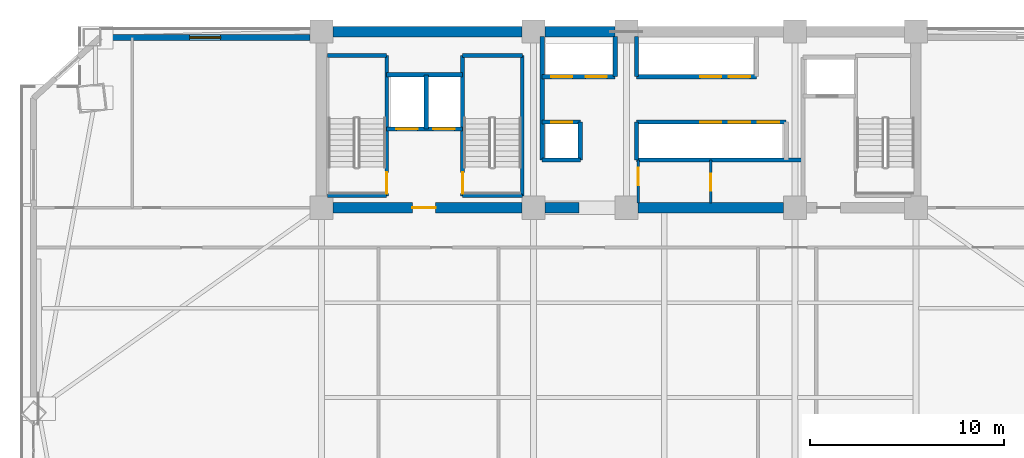
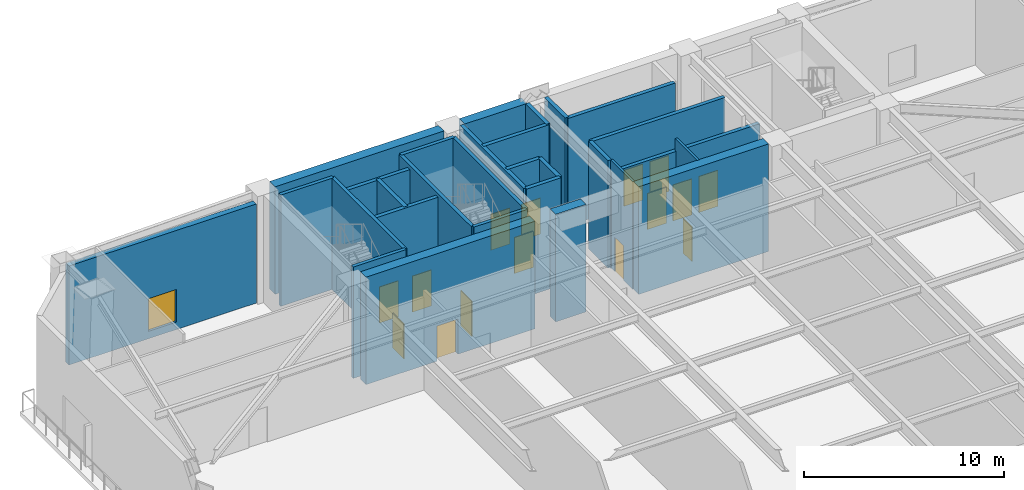
# One storey, part 15 of 22: 29 walls, 15 doors, 1 window, 16 openings.
"""IFC4 building model written with IfcOpenShell, lengths in metres."""

from ifc_helpers import new_model, si_unit, direction, frame, frame_2d, origin, place, context, subcontext, project, spatial, rectangle, extrude, source, transform, mapped, material, layer, layer_set, type_object, element, fill, save


model = new_model("IFC4")

# Units and contexts
model_context = context("Model", 3, precision=1e-05, world=origin(), true_north=direction((0.0, 1.0)))
body_context = subcontext(model_context, "Body", "Model", "MODEL_VIEW")
ifc_project = project(units=[si_unit("LENGTHUNIT", "METRE"), si_unit("AREAUNIT", "SQUARE_METRE"), si_unit("VOLUMEUNIT", "CUBIC_METRE"), si_unit("PLANEANGLEUNIT", "RADIAN"), si_unit("MASSUNIT", "GRAM", prefix="KILO")], contexts=[model_context])

# Site, building, storey
site_placement = place(None, origin())
site = spatial("IfcSite", under=ifc_project, at=site_placement, CompositionType="ELEMENT")
building_placement = place(site_placement, origin())
building = spatial("IfcBuilding", under=site, at=building_placement, Name="Giltprow Tower", CompositionType="ELEMENT")
storey_placement = place(building_placement, frame((0.0, 0.0, 130.89990234375)))
storey = spatial("IfcBuildingStorey", under=building, at=storey_placement, Name="L32", CompositionType="ELEMENT", Elevation=130.89990234375)

# Wall, opening, window
ifc_material_1 = material(Name="Precast concrete C40", Category="concrete")
ifc_layer_1 = layer(ifc_material_1, 0.320068359375, Name="Precast concrete C40")
ifc_layer_set_1 = layer_set([ifc_layer_1], Name="Precast concrete C40")
wall_type_1 = type_object("IfcWallType", Name="EW-TOW-STONE-320", PredefinedType="SOLIDWALL", material=ifc_layer_set_1)
wall_1_placement = place(storey_placement, frame((8.419921875, 46.25, 0.0), z_axis=(0.0, 0.0, 1.0), x_axis=(1.0, 0.0, 0.0)))
wall_1 = element("IfcWall", 1, at=wall_1_placement, inside=storey, type_object=wall_type_1, Name="L32 North-West Wing Wall", PredefinedType="SOLIDWALL", context=body_context, shape_type="SweptSolid", body=[
    extrude(rectangle(XDim=10.830078125, YDim=0.320068359375, at=frame_2d((5.4150390625, 0.0))), origin(), (0.0, 0.0, 1.0), 6.050048828125),
])
opening_1_placement = place(wall_1_placement, frame((4.614990234375, 0.0, 0.449951171875)))
opening_1 = element("IfcOpeningElement", 2, at=opening_1_placement, cuts=wall_1, Name="Opening WN17", PredefinedType="OPENING", context=body_context, shape_type="SweptSolid", body=[
    extrude(rectangle(XDim=1.60009765625, YDim=2.0, at=frame_2d((0.800048828125, 1.0))), frame((0.0, 0.169921875, 0.0), z_axis=(0.0, -1.0, 0.0), x_axis=(1.0, 0.0, 0.0)), (0.0, 0.0, 1.0), 0.340087890625),
])
ifc_material_2 = material(Name="Insulated glass", Category="glass")
window_type = type_object("IfcWindowType", Name="WN-COR-1600x2000", PartitioningType="SINGLE_PANEL", PredefinedType="WINDOW", material=ifc_material_2)
shared_shape_1 = source(origin(), body_context, "Body", "SweptSolid", [
    extrude(rectangle(XDim=1.60009765625, YDim=2.0, at=frame_2d((0.800048828125, 1.0))), frame((0.0, 0.030029296875, 0.0), z_axis=(0.0, -1.0, 0.0), x_axis=(1.0, 0.0, 0.0)), (0.0, 0.0, 1.0), 0.06005859375),
])
window_placement = place(opening_1_placement, origin())
window = element("IfcWindow", 3, at=window_placement, inside=storey, type_object=window_type, Name="L32 North-West Window", OverallHeight=2.0, OverallWidth=1.60009765625, PartitioningType="SINGLE_PANEL", PredefinedType="WINDOW", context=body_context, shape_type="MappedRepresentation", body=[
    mapped(shared_shape_1, transform((0.0, 0.0, 0.0), x_axis=(1.0, 0.0, 0.0), y_axis=(0.0, 1.0, 0.0), z_axis=(0.0, 0.0, 1.0), scale=1.0)),
])
fill(opening_1, window)

# Wall, openings, doors
ifc_material_3 = material(Name="Concrete C40", Category="concrete")
ifc_layer_2 = layer(ifc_material_3, 0.219970703125, Name="Concrete C40")
ifc_layer_set_2 = layer_set([ifc_layer_2], Name="Concrete C40")
wall_type_2 = type_object("IfcWallType", Name="IW-SHAFT-220", PredefinedType="SOLIDWALL", material=ifc_layer_set_2)
wall_2_placement = place(storey_placement, frame((23.219970703125, 41.52001953125, 0.0), z_axis=(0.0, 0.0, 1.0), x_axis=(1.0, 0.0, 0.0)))
wall_2 = element("IfcWall", 4, at=wall_2_placement, inside=storey, type_object=wall_type_2, Name="L32 FFL1 and Service Lift Front Wall", PredefinedType="SOLIDWALL", context=body_context, shape_type="SweptSolid", body=[
    extrude(rectangle(XDim=3.919921875, YDim=0.219970703125, at=frame_2d((1.9599609375, 0.0))), origin(), (0.0, 0.0, 1.0), 6.570068359375),
])
opening_2_placement = place(wall_2_placement, frame((0.5, 0.0, 0.0)))
opening_2 = element("IfcOpeningElement", 5, at=opening_2_placement, cuts=wall_2, Name="Opening LD-11", PredefinedType="OPENING", context=body_context, shape_type="SweptSolid", body=[
    extrude(rectangle(XDim=1.10009765625, YDim=2.199951171875, at=frame_2d((0.550048828125, 1.10009765625))), frame((0.0, 0.119873046875, 0.0), z_axis=(0.0, -1.0, 0.0), x_axis=(1.0, 0.0, 0.0)), (0.0, 0.0, 1.0), 0.239990234375),
])
opening_3_placement = place(wall_2_placement, frame((2.39990234375, 0.0, 0.0)))
opening_3 = element("IfcOpeningElement", 6, at=opening_3_placement, cuts=wall_2, Name="Opening LD-11", PredefinedType="OPENING", context=body_context, shape_type="SweptSolid", body=[
    extrude(rectangle(XDim=1.10009765625, YDim=2.199951171875, at=frame_2d((0.550048828125, 1.10009765625))), frame((0.0, 0.119873046875, 0.0), z_axis=(0.0, -1.0, 0.0), x_axis=(1.0, 0.0, 0.0)), (0.0, 0.0, 1.0), 0.239990234375),
])
ifc_material_4 = material(Name="Stainless steel", Category="steel")
door_type_1 = type_object("IfcDoorType", Name="DR-LIFT-LD1100", OperationType="SLIDING_TO_LEFT", PredefinedType="DOOR", material=ifc_material_4)
shared_shape_2 = source(origin(), body_context, "Body", "SweptSolid", [
    extrude(rectangle(XDim=1.10009765625, YDim=2.199951171875, at=frame_2d((0.550048828125, 1.10009765625))), frame((0.0, 0.02490234375, 0.0), z_axis=(0.0, -1.0, 0.0), x_axis=(1.0, 0.0, 0.0)), (0.0, 0.0, 1.0), 0.050048828125),
])
door_1_placement = place(opening_2_placement, origin())
door_1 = element("IfcDoor", 7, at=door_1_placement, inside=storey, type_object=door_type_1, Name="L32 FFL1 Landing Door", OperationType="SLIDING_TO_LEFT", OverallHeight=2.199951171875, OverallWidth=1.10009765625, PredefinedType="DOOR", context=body_context, shape_type="MappedRepresentation", body=[
    mapped(shared_shape_2, transform((0.0, 0.0, 0.0), x_axis=(1.0, 0.0, 0.0), y_axis=(0.0, 1.0, 0.0), z_axis=(0.0, 0.0, 1.0), scale=1.0)),
])
fill(opening_2, door_1)
door_2_placement = place(opening_3_placement, origin())
door_2 = element("IfcDoor", 8, at=door_2_placement, inside=storey, type_object=door_type_1, Name="L32 SVL1 Landing Door", OperationType="SLIDING_TO_LEFT", OverallHeight=2.199951171875, OverallWidth=1.10009765625, PredefinedType="DOOR", context=body_context, shape_type="MappedRepresentation", body=[
    mapped(shared_shape_2, transform((0.0, 0.0, 0.0), x_axis=(1.0, 0.0, 0.0), y_axis=(0.0, 1.0, 0.0), z_axis=(0.0, 0.0, 1.0), scale=1.0)),
])
fill(opening_3, door_2)

# Walls
wall_3_placement = place(storey_placement, frame((25.260009765625, 41.52001953125, 0.0), z_axis=(0.0, 0.0, 1.0), x_axis=(0.0, 1.0, 0.0)))
element("IfcWall", 9, at=wall_3_placement, inside=storey, type_object=wall_type_2, Name="L32 FFL1-SVL1 Shaft Divider", PredefinedType="SOLIDWALL", context=body_context, shape_type="SweptSolid", body=[
    extrude(rectangle(XDim=2.800048828125, YDim=0.219970703125, at=frame_2d((1.39990234375, 0.0))), origin(), (0.0, 0.0, 1.0), 6.570068359375),
])
wall_4_placement = place(storey_placement, frame((23.219970703125, 44.320068359375, 0.0), z_axis=(0.0, 0.0, 1.0), x_axis=(1.0, 0.0, 0.0)))
element("IfcWall", 10, at=wall_4_placement, inside=storey, type_object=wall_type_2, Name="L32 FFL1-SVL1 Back Shaft Wall", PredefinedType="SOLIDWALL", context=body_context, shape_type="SweptSolid", body=[
    extrude(rectangle(XDim=3.919921875, YDim=0.219970703125, at=frame_2d((1.9599609375, 0.0))), origin(), (0.0, 0.0, 1.0), 6.570068359375),
])

# Wall, openings, doors
wall_5_placement = place(storey_placement, frame((31.25, 44.219970703125, 0.0), z_axis=(0.0, 0.0, 1.0), x_axis=(1.0, 0.0, 0.0)))
wall_5 = element("IfcWall", 11, at=wall_5_placement, inside=storey, type_object=wall_type_2, Name="L32 North West Lift Shaft Front Wall", PredefinedType="SOLIDWALL", context=body_context, shape_type="SweptSolid", body=[
    extrude(rectangle(XDim=3.77001953125, YDim=0.219970703125, at=frame_2d((1.885009765625, 0.0))), origin(), (0.0, 0.0, 1.0), 6.570068359375),
])
opening_4_placement = place(wall_5_placement, frame((0.4599609375, 0.0, 0.0)))
opening_4 = element("IfcOpeningElement", 12, at=opening_4_placement, cuts=wall_5, Name="Opening LD-11", PredefinedType="OPENING", context=body_context, shape_type="SweptSolid", body=[
    extrude(rectangle(XDim=1.10009765625, YDim=2.199951171875, at=frame_2d((0.550048828125, 1.10009765625))), frame((0.0, 0.119873046875, 0.0), z_axis=(0.0, -1.0, 0.0), x_axis=(1.0, 0.0, 0.0)), (0.0, 0.0, 1.0), 0.239990234375),
])
opening_5_placement = place(wall_5_placement, frame((2.239990234375, 0.0, 0.0)))
opening_5 = element("IfcOpeningElement", 13, at=opening_5_placement, cuts=wall_5, Name="Opening LD-11", PredefinedType="OPENING", context=body_context, shape_type="SweptSolid", body=[
    extrude(rectangle(XDim=1.10009765625, YDim=2.199951171875, at=frame_2d((0.550048828125, 1.10009765625))), frame((0.0, 0.119873046875, 0.0), z_axis=(0.0, -1.0, 0.0), x_axis=(1.0, 0.0, 0.0)), (0.0, 0.0, 1.0), 0.239990234375),
])
door_3_placement = place(opening_4_placement, origin())
door_3 = element("IfcDoor", 14, at=door_3_placement, inside=storey, type_object=door_type_1, Name="L32 PL-L1 Landing Door", OperationType="SLIDING_TO_LEFT", OverallHeight=2.199951171875, OverallWidth=1.10009765625, PredefinedType="DOOR", context=body_context, shape_type="MappedRepresentation", body=[
    mapped(shared_shape_2, transform((0.0, 0.0, 0.0), x_axis=(1.0, 0.0, 0.0), y_axis=(0.0, 1.0, 0.0), z_axis=(0.0, 0.0, 1.0), scale=1.0)),
])
fill(opening_4, door_3)
door_4_placement = place(opening_5_placement, origin())
door_4 = element("IfcDoor", 15, at=door_4_placement, inside=storey, type_object=door_type_1, Name="L32 PL-L2 Landing Door", OperationType="SLIDING_TO_LEFT", OverallHeight=2.199951171875, OverallWidth=1.10009765625, PredefinedType="DOOR", context=body_context, shape_type="MappedRepresentation", body=[
    mapped(shared_shape_2, transform((0.0, 0.0, 0.0), x_axis=(1.0, 0.0, 0.0), y_axis=(0.0, 1.0, 0.0), z_axis=(0.0, 0.0, 1.0), scale=1.0)),
])
fill(opening_5, door_4)

wall_6_placement = place(storey_placement, frame((36.1201171875, 44.219970703125, 0.0), z_axis=(0.0, 0.0, 1.0), x_axis=(1.0, 0.0, 0.0)))
wall_6 = element("IfcWall", 16, at=wall_6_placement, inside=storey, type_object=wall_type_2, Name="L32 North East Lift Shaft Front Wall", PredefinedType="SOLIDWALL", context=body_context, shape_type="SweptSolid", body=[
    extrude(rectangle(XDim=6.199951171875, YDim=0.219970703125, at=frame_2d((3.10009765625, 0.0))), origin(), (0.0, 0.0, 1.0), 6.570068359375),
])
opening_6_placement = place(wall_6_placement, frame((3.280029296875, 0.0, 0.0)))
opening_6 = element("IfcOpeningElement", 17, at=opening_6_placement, cuts=wall_6, Name="Opening LD-11", PredefinedType="OPENING", context=body_context, shape_type="SweptSolid", body=[
    extrude(rectangle(XDim=1.10009765625, YDim=2.199951171875, at=frame_2d((0.550048828125, 1.10009765625))), frame((0.0, 0.119873046875, 0.0), z_axis=(0.0, -1.0, 0.0), x_axis=(1.0, 0.0, 0.0)), (0.0, 0.0, 1.0), 0.239990234375),
])
opening_7_placement = place(wall_6_placement, frame((4.77001953125, 0.0, 0.0)))
opening_7 = element("IfcOpeningElement", 18, at=opening_7_placement, cuts=wall_6, Name="Opening LD-11", PredefinedType="OPENING", context=body_context, shape_type="SweptSolid", body=[
    extrude(rectangle(XDim=1.10009765625, YDim=2.199951171875, at=frame_2d((0.550048828125, 1.10009765625))), frame((0.0, 0.119873046875, 0.0), z_axis=(0.0, -1.0, 0.0), x_axis=(1.0, 0.0, 0.0)), (0.0, 0.0, 1.0), 0.239990234375),
])
door_5_placement = place(opening_6_placement, origin())
door_5 = element("IfcDoor", 19, at=door_5_placement, inside=storey, type_object=door_type_1, Name="L32 PL-M1 Landing Door", OperationType="SLIDING_TO_LEFT", OverallHeight=2.199951171875, OverallWidth=1.10009765625, PredefinedType="DOOR", context=body_context, shape_type="MappedRepresentation", body=[
    mapped(shared_shape_2, transform((0.0, 0.0, 0.0), x_axis=(1.0, 0.0, 0.0), y_axis=(0.0, 1.0, 0.0), z_axis=(0.0, 0.0, 1.0), scale=1.0)),
])
fill(opening_6, door_5)
door_6_placement = place(opening_7_placement, origin())
door_6 = element("IfcDoor", 20, at=door_6_placement, inside=storey, type_object=door_type_1, Name="L32 PL-M2 Landing Door", OperationType="SLIDING_TO_LEFT", OverallHeight=2.199951171875, OverallWidth=1.10009765625, PredefinedType="DOOR", context=body_context, shape_type="MappedRepresentation", body=[
    mapped(shared_shape_2, transform((0.0, 0.0, 0.0), x_axis=(1.0, 0.0, 0.0), y_axis=(0.0, 1.0, 0.0), z_axis=(0.0, 0.0, 1.0), scale=1.0)),
])
fill(opening_7, door_6)

# Walls
for number, where, z_axis, x_axis, name in (
    (21, (35.02001953125, 44.219970703125, 0.0), (0.0, 0.0, 1.0), (0.0, 1.0, 0.0), "L32 North West Lift Shaft East Closure"),
    (22, (36.1201171875, 44.219970703125, 0.0), (0.0, 0.0, 1.0), (0.0, 1.0, 0.0), "L32 North East Lift Shaft West Closure"),
):
    element("IfcWall", number, at=place(storey_placement, frame(where, z_axis=z_axis, x_axis=x_axis)), inside=storey, type_object=wall_type_2, Name=name, PredefinedType="SOLIDWALL", context=body_context, shape_type="SweptSolid", body=[
        extrude(rectangle(XDim=2.074951171875, YDim=0.219970703125, at=frame_2d((1.03759765625, 0.0))), origin(), (0.0, 0.0, 1.0), 6.570068359375),
    ])

# Wall, opening, door
wall_7_placement = place(storey_placement, frame((31.25, 41.8798828125, 0.0), z_axis=(0.0, 0.0, 1.0), x_axis=(1.0, 0.0, 0.0)))
wall_7 = element("IfcWall", 23, at=wall_7_placement, inside=storey, type_object=wall_type_2, Name="L32 South West Lift Shaft Front Wall", PredefinedType="SOLIDWALL", context=body_context, shape_type="SweptSolid", body=[
    extrude(rectangle(XDim=1.969970703125, YDim=0.219970703125, at=frame_2d((0.98486328125, 0.0))), origin(), (0.0, 0.0, 1.0), 6.570068359375),
])
opening_8_placement = place(wall_7_placement, frame((0.4599609375, 0.0, 0.0)))
opening_8 = element("IfcOpeningElement", 24, at=opening_8_placement, cuts=wall_7, Name="Opening LD-11", PredefinedType="OPENING", context=body_context, shape_type="SweptSolid", body=[
    extrude(rectangle(XDim=1.10009765625, YDim=2.199951171875, at=frame_2d((0.550048828125, 1.10009765625))), frame((0.0, 0.119873046875, 0.0), z_axis=(0.0, -1.0, 0.0), x_axis=(1.0, 0.0, 0.0)), (0.0, 0.0, 1.0), 0.239990234375),
])
door_7_placement = place(opening_8_placement, origin())
door_7 = element("IfcDoor", 25, at=door_7_placement, inside=storey, type_object=door_type_1, Name="L32 PL-L3 Landing Door", OperationType="SLIDING_TO_LEFT", OverallHeight=2.199951171875, OverallWidth=1.10009765625, PredefinedType="DOOR", context=body_context, shape_type="MappedRepresentation", body=[
    mapped(shared_shape_2, transform((0.0, 0.0, 0.0), x_axis=(1.0, 0.0, 0.0), y_axis=(0.0, 1.0, 0.0), z_axis=(0.0, 0.0, 1.0), scale=1.0)),
])
fill(opening_8, door_7)

# Wall, openings, doors
wall_8_placement = place(storey_placement, frame((36.1201171875, 41.8798828125, 0.0), z_axis=(0.0, 0.0, 1.0), x_axis=(1.0, 0.0, 0.0)))
wall_8 = element("IfcWall", 26, at=wall_8_placement, inside=storey, type_object=wall_type_2, Name="L32 South East Lift Shaft Front Wall", PredefinedType="SOLIDWALL", context=body_context, shape_type="SweptSolid", body=[
    extrude(rectangle(XDim=7.72998046875, YDim=0.219970703125, at=frame_2d((3.864990234375, 0.0))), origin(), (0.0, 0.0, 1.0), 6.570068359375),
])
opening_9_placement = place(wall_8_placement, frame((6.260009765625, 0.0, 0.0)))
opening_9 = element("IfcOpeningElement", 27, at=opening_9_placement, cuts=wall_8, Name="Opening LD-11", PredefinedType="OPENING", context=body_context, shape_type="SweptSolid", body=[
    extrude(rectangle(XDim=1.10009765625, YDim=2.199951171875, at=frame_2d((0.550048828125, 1.10009765625))), frame((0.0, 0.119873046875, 0.0), z_axis=(0.0, -1.0, 0.0), x_axis=(1.0, 0.0, 0.0)), (0.0, 0.0, 1.0), 0.239990234375),
])
opening_10_placement = place(wall_8_placement, frame((3.280029296875, 0.0, 0.0)))
opening_10 = element("IfcOpeningElement", 28, at=opening_10_placement, cuts=wall_8, Name="Opening LD-11", PredefinedType="OPENING", context=body_context, shape_type="SweptSolid", body=[
    extrude(rectangle(XDim=1.10009765625, YDim=2.199951171875, at=frame_2d((0.550048828125, 1.10009765625))), frame((0.0, 0.119873046875, 0.0), z_axis=(0.0, -1.0, 0.0), x_axis=(1.0, 0.0, 0.0)), (0.0, 0.0, 1.0), 0.239990234375),
])
opening_11_placement = place(wall_8_placement, frame((4.77001953125, 0.0, 0.0)))
opening_11 = element("IfcOpeningElement", 29, at=opening_11_placement, cuts=wall_8, Name="Opening LD-11", PredefinedType="OPENING", context=body_context, shape_type="SweptSolid", body=[
    extrude(rectangle(XDim=1.10009765625, YDim=2.199951171875, at=frame_2d((0.550048828125, 1.10009765625))), frame((0.0, 0.119873046875, 0.0), z_axis=(0.0, -1.0, 0.0), x_axis=(1.0, 0.0, 0.0)), (0.0, 0.0, 1.0), 0.239990234375),
])
door_8_placement = place(opening_9_placement, origin())
door_8 = element("IfcDoor", 30, at=door_8_placement, inside=storey, type_object=door_type_1, Name="L32 PL-L4 Landing Door", OperationType="SLIDING_TO_LEFT", OverallHeight=2.199951171875, OverallWidth=1.10009765625, PredefinedType="DOOR", context=body_context, shape_type="MappedRepresentation", body=[
    mapped(shared_shape_2, transform((0.0, 0.0, 0.0), x_axis=(1.0, 0.0, 0.0), y_axis=(0.0, 1.0, 0.0), z_axis=(0.0, 0.0, 1.0), scale=1.0)),
])
fill(opening_9, door_8)
door_9_placement = place(opening_10_placement, origin())
door_9 = element("IfcDoor", 31, at=door_9_placement, inside=storey, type_object=door_type_1, Name="L32 PL-M3 Landing Door", OperationType="SLIDING_TO_LEFT", OverallHeight=2.199951171875, OverallWidth=1.10009765625, PredefinedType="DOOR", context=body_context, shape_type="MappedRepresentation", body=[
    mapped(shared_shape_2, transform((0.0, 0.0, 0.0), x_axis=(1.0, 0.0, 0.0), y_axis=(0.0, 1.0, 0.0), z_axis=(0.0, 0.0, 1.0), scale=1.0)),
])
fill(opening_10, door_9)
door_10_placement = place(opening_11_placement, origin())
door_10 = element("IfcDoor", 32, at=door_10_placement, inside=storey, type_object=door_type_1, Name="L32 PL-M4 Landing Door", OperationType="SLIDING_TO_LEFT", OverallHeight=2.199951171875, OverallWidth=1.10009765625, PredefinedType="DOOR", context=body_context, shape_type="MappedRepresentation", body=[
    mapped(shared_shape_2, transform((0.0, 0.0, 0.0), x_axis=(1.0, 0.0, 0.0), y_axis=(0.0, 1.0, 0.0), z_axis=(0.0, 0.0, 1.0), scale=1.0)),
])
fill(opening_11, door_10)

# Walls
wall_9_placement = place(storey_placement, frame((31.25, 39.919921875, 0.0), z_axis=(0.0, 0.0, 1.0), x_axis=(1.0, 0.0, 0.0)))
element("IfcWall", 33, at=wall_9_placement, inside=storey, type_object=wall_type_2, Name="L32 Low-Rise South Lift Back Wall", PredefinedType="SOLIDWALL", context=body_context, shape_type="SweptSolid", body=[
    extrude(rectangle(XDim=1.969970703125, YDim=0.219970703125, at=frame_2d((0.98486328125, 0.0))), origin(), (0.0, 0.0, 1.0), 6.570068359375),
])
wall_10_placement = place(storey_placement, frame((33.219970703125, 39.919921875, 0.0), z_axis=(0.0, 0.0, 1.0), x_axis=(0.0, 1.0, 0.0)))
element("IfcWall", 34, at=wall_10_placement, inside=storey, type_object=wall_type_2, Name="L32 Low-Rise South Lift East Closure", PredefinedType="SOLIDWALL", context=body_context, shape_type="SweptSolid", body=[
    extrude(rectangle(XDim=1.9599609375, YDim=0.219970703125, at=frame_2d((0.97998046875, 0.0))), origin(), (0.0, 0.0, 1.0), 6.570068359375),
])
wall_11_placement = place(storey_placement, frame((36.1201171875, 39.919921875, 0.0), z_axis=(0.0, 0.0, 1.0), x_axis=(1.0, 0.0, 0.0)))
element("IfcWall", 35, at=wall_11_placement, inside=storey, type_object=wall_type_2, Name="L32 Express South Shaft Back Wall", PredefinedType="SOLIDWALL", context=body_context, shape_type="SweptSolid", body=[
    extrude(rectangle(XDim=8.599853515625, YDim=0.219970703125, at=frame_2d((4.2998046875, 0.0))), origin(), (0.0, 0.0, 1.0), 5.85498046875),
])
wall_12_placement = place(storey_placement, frame((36.1201171875, 39.919921875, 0.0), z_axis=(0.0, 0.0, 1.0), x_axis=(0.0, 1.0, 0.0)))
element("IfcWall", 36, at=wall_12_placement, inside=storey, type_object=wall_type_2, Name="L32 Express South Shaft West Closure", PredefinedType="SOLIDWALL", context=body_context, shape_type="SweptSolid", body=[
    extrude(rectangle(XDim=1.9599609375, YDim=0.219970703125, at=frame_2d((0.97998046875, 0.0))), origin(), (0.0, 0.0, 1.0), 6.570068359375),
])
wall_13_placement = place(storey_placement, frame((31.25, 39.919921875, 0.0), z_axis=(0.0, 0.0, 1.0), x_axis=(0.0, 1.0, 0.0)))
element("IfcWall", 37, at=wall_13_placement, inside=storey, type_object=wall_type_2, Name="L32 Lift Bank West Closure", PredefinedType="SOLIDWALL", context=body_context, shape_type="SweptSolid", body=[
    extrude(rectangle(XDim=6.375, YDim=0.219970703125, at=frame_2d((3.1875, 0.0))), origin(), (0.0, 0.0, 1.0), 6.570068359375),
])

# Wall, opening, door
ifc_layer_3 = layer(ifc_material_3, 0.199951171875, Name="Concrete C40")
ifc_layer_set_3 = layer_set([ifc_layer_3], Name="Concrete C40")
wall_type_3 = type_object("IfcWallType", Name="IW-STAIR-200", PredefinedType="SOLIDWALL", material=ifc_layer_set_3)
wall_14_placement = place(storey_placement, frame((23.219970703125, 38.070068359375, 0.0), z_axis=(0.0, 0.0, 1.0), x_axis=(0.0, 1.0, 0.0)))
wall_14 = element("IfcWall", 38, at=wall_14_placement, inside=storey, type_object=wall_type_3, Name="L32 Stair ST-1 East Bearing Wall", PredefinedType="SOLIDWALL", context=body_context, shape_type="SweptSolid", body=[
    extrude(rectangle(XDim=7.25, YDim=0.199951171875, at=frame_2d((3.625, 0.0))), origin(), (0.0, 0.0, 1.0), 6.800048828125),
])
opening_12_placement = place(wall_14_placement, frame((0.110107421875, 0.0, 0.0)))
opening_12 = element("IfcOpeningElement", 39, at=opening_12_placement, cuts=wall_14, Name="Opening ID33", PredefinedType="OPENING", context=body_context, shape_type="SweptSolid", body=[
    extrude(rectangle(XDim=1.10009765625, YDim=2.14990234375, at=frame_2d((0.550048828125, 1.074951171875))), frame((0.0, 0.10986328125, 0.0), z_axis=(0.0, -1.0, 0.0), x_axis=(1.0, 0.0, 0.0)), (0.0, 0.0, 1.0), 0.219970703125),
])
ifc_material_5 = material(Name="Steel fire leaf", Category="steel")
door_type_2 = type_object("IfcDoorType", Name="DR-STAIR-1100", OperationType="SINGLE_SWING_LEFT", PredefinedType="DOOR", material=ifc_material_5)
shared_shape_3 = source(origin(), body_context, "Body", "SweptSolid", [
    extrude(rectangle(XDim=1.10009765625, YDim=2.14990234375, at=frame_2d((0.550048828125, 1.074951171875))), frame((0.0, 0.02490234375, 0.0), z_axis=(0.0, -1.0, 0.0), x_axis=(1.0, 0.0, 0.0)), (0.0, 0.0, 1.0), 0.050048828125),
])
door_11_placement = place(opening_12_placement, origin())
door_11 = element("IfcDoor", 40, at=door_11_placement, inside=storey, type_object=door_type_2, Name="L32 Stair ST-1 Fire Door", OperationType="SINGLE_SWING_RIGHT", OverallHeight=2.14990234375, OverallWidth=1.10009765625, PredefinedType="DOOR", context=body_context, shape_type="MappedRepresentation", body=[
    mapped(shared_shape_3, transform((0.0, 0.0, 0.0), x_axis=(1.0, 0.0, 0.0), y_axis=(0.0, 1.0, 0.0), z_axis=(0.0, 0.0, 1.0), scale=1.0)),
])
fill(opening_12, door_11)

# Walls
for number, where, z_axis, x_axis, name in (
    (41, (20.169921875, 45.320068359375, 0.0), (0.0, 0.0, 1.0), (1.0, 0.0, 0.0), "L32 Stair ST-1 North Bearing Wall"),
    (42, (20.169921875, 38.070068359375, 0.0), (0.0, 0.0, 1.0), (1.0, 0.0, 0.0), "L32 Stair ST-1 South Bearing Wall"),
):
    element("IfcWall", number, at=place(storey_placement, frame(where, z_axis=z_axis, x_axis=x_axis)), inside=storey, type_object=wall_type_3, Name=name, PredefinedType="SOLIDWALL", context=body_context, shape_type="SweptSolid", body=[
        extrude(rectangle(XDim=3.050048828125, YDim=0.199951171875, at=frame_2d((1.52490234375, 0.0))), origin(), (0.0, 0.0, 1.0), 6.800048828125),
    ])

# Wall, opening, door
wall_15_placement = place(storey_placement, frame((27.139892578125, 38.070068359375, 0.0), z_axis=(0.0, 0.0, 1.0), x_axis=(0.0, 1.0, 0.0)))
wall_15 = element("IfcWall", 43, at=wall_15_placement, inside=storey, type_object=wall_type_3, Name="L32 Stair ST-2 West Bearing Wall", PredefinedType="SOLIDWALL", context=body_context, shape_type="SweptSolid", body=[
    extrude(rectangle(XDim=7.25, YDim=0.199951171875, at=frame_2d((3.625, 0.0))), origin(), (0.0, 0.0, 1.0), 6.800048828125),
])
opening_13_placement = place(wall_15_placement, frame((0.110107421875, 0.0, 0.0)))
opening_13 = element("IfcOpeningElement", 44, at=opening_13_placement, cuts=wall_15, Name="Opening ID33", PredefinedType="OPENING", context=body_context, shape_type="SweptSolid", body=[
    extrude(rectangle(XDim=1.10009765625, YDim=2.14990234375, at=frame_2d((0.550048828125, 1.074951171875))), frame((0.0, 0.10986328125, 0.0), z_axis=(0.0, -1.0, 0.0), x_axis=(1.0, 0.0, 0.0)), (0.0, 0.0, 1.0), 0.219970703125),
])
door_12_placement = place(opening_13_placement, origin())
door_12 = element("IfcDoor", 45, at=door_12_placement, inside=storey, type_object=door_type_2, Name="L32 Stair ST-2 Fire Door", OperationType="SINGLE_SWING_LEFT", OverallHeight=2.14990234375, OverallWidth=1.10009765625, PredefinedType="DOOR", context=body_context, shape_type="MappedRepresentation", body=[
    mapped(shared_shape_3, transform((0.0, 0.0, 0.0), x_axis=(1.0, 0.0, 0.0), y_axis=(0.0, 1.0, 0.0), z_axis=(0.0, 0.0, 1.0), scale=1.0)),
])
fill(opening_13, door_12)

# Walls
wall_16_placement = place(storey_placement, frame((30.219970703125, 38.070068359375, 0.0), z_axis=(0.0, 0.0, 1.0), x_axis=(0.0, 1.0, 0.0)))
element("IfcWall", 46, at=wall_16_placement, inside=storey, type_object=wall_type_3, Name="L32 Stair ST-2 East Bearing Wall", PredefinedType="SOLIDWALL", context=body_context, shape_type="SweptSolid", body=[
    extrude(rectangle(XDim=7.25, YDim=0.199951171875, at=frame_2d((3.625, 0.0))), origin(), (0.0, 0.0, 1.0), 6.800048828125),
])
for number, where, z_axis, x_axis, name in (
    (47, (27.139892578125, 45.320068359375, 0.0), (0.0, 0.0, 1.0), (1.0, 0.0, 0.0), "L32 Stair ST-2 North Bearing Wall"),
    (48, (27.139892578125, 38.070068359375, 0.0), (0.0, 0.0, 1.0), (1.0, 0.0, 0.0), "L32 Stair ST-2 South Bearing Wall"),
):
    element("IfcWall", number, at=place(storey_placement, frame(where, z_axis=z_axis, x_axis=x_axis)), inside=storey, type_object=wall_type_3, Name=name, PredefinedType="SOLIDWALL", context=body_context, shape_type="SweptSolid", body=[
        extrude(rectangle(XDim=3.080078125, YDim=0.199951171875, at=frame_2d((1.5400390625, 0.0))), origin(), (0.0, 0.0, 1.0), 6.800048828125),
    ])

# Wall, opening, door
ifc_material_6 = material(Name="Concrete C30", Category="concrete")
ifc_layer_4 = layer(ifc_material_6, 0.1298828125, Name="Concrete C30")
ifc_layer_set_4 = layer_set([ifc_layer_4], Name="Concrete C30")
wall_type_4 = type_object("IfcWallType", Name="IW-WET-130", PredefinedType="PARTITIONING", material=ifc_layer_set_4)
wall_17_placement = place(storey_placement, frame((36.219970703125, 37.705078125, 0.0), z_axis=(0.0, 0.0, 1.0), x_axis=(0.0, 1.0, 0.0)))
wall_17 = element("IfcWall", 49, at=wall_17_placement, inside=storey, type_object=wall_type_4, Name="L32 Core Suite West Wall", PredefinedType="PARTITIONING", context=body_context, shape_type="SweptSolid", body=[
    extrude(rectangle(XDim=2.21484375, YDim=0.1298828125, at=frame_2d((1.107421875, 0.0))), origin(), (0.0, 0.0, 1.0), 6.570068359375),
])
opening_14_placement = place(wall_17_placement, frame((0.905029296875, 0.0, 0.0)))
opening_14 = element("IfcOpeningElement", 50, at=opening_14_placement, cuts=wall_17, Name="Opening ID35", PredefinedType="OPENING", context=body_context, shape_type="SweptSolid", body=[
    extrude(rectangle(XDim=0.89990234375, YDim=2.10009765625, at=frame_2d((0.449951171875, 1.050048828125))), frame((0.0, 0.074951171875, 0.0), z_axis=(0.0, -1.0, 0.0), x_axis=(1.0, 0.0, 0.0)), (0.0, 0.0, 1.0), 0.14990234375),
])
door_type_3 = type_object("IfcDoorType", Name="DR-SHAFT-900", OperationType="SINGLE_SWING_LEFT", PredefinedType="DOOR", material=ifc_material_5)
shared_shape_4 = source(origin(), body_context, "Body", "SweptSolid", [
    extrude(rectangle(XDim=0.89990234375, YDim=2.10009765625, at=frame_2d((0.449951171875, 1.050048828125))), frame((0.0, 0.02490234375, 0.0), z_axis=(0.0, -1.0, 0.0), x_axis=(1.0, 0.0, 0.0)), (0.0, 0.0, 1.0), 0.050048828125),
])
door_13_placement = place(opening_14_placement, origin())
door_13 = element("IfcDoor", 51, at=door_13_placement, inside=storey, type_object=door_type_3, Name="L32 Core Powder Room Door", OperationType="SINGLE_SWING_RIGHT", OverallHeight=2.10009765625, OverallWidth=0.89990234375, PredefinedType="DOOR", context=body_context, shape_type="MappedRepresentation", body=[
    mapped(shared_shape_4, transform((0.0, 0.0, 0.0), x_axis=(1.0, 0.0, 0.0), y_axis=(0.0, 1.0, 0.0), z_axis=(0.0, 0.0, 1.0), scale=1.0)),
])
fill(opening_14, door_13)

wall_18_placement = place(storey_placement, frame((39.949951171875, 37.705078125, 0.0), z_axis=(0.0, 0.0, 1.0), x_axis=(0.0, 1.0, 0.0)))
wall_18 = element("IfcWall", 52, at=wall_18_placement, inside=storey, type_object=wall_type_4, Name="L32 Core Suite Divider", PredefinedType="PARTITIONING", context=body_context, shape_type="SweptSolid", body=[
    extrude(rectangle(XDim=2.21484375, YDim=0.1298828125, at=frame_2d((1.107421875, 0.0))), origin(), (0.0, 0.0, 1.0), 6.570068359375),
])
opening_15_placement = place(wall_18_placement, frame((0.614990234375, 0.0, 0.0)))
opening_15 = element("IfcOpeningElement", 53, at=opening_15_placement, cuts=wall_18, Name="Opening ID35", PredefinedType="OPENING", context=body_context, shape_type="SweptSolid", body=[
    extrude(rectangle(XDim=0.89990234375, YDim=2.10009765625, at=frame_2d((0.449951171875, 1.050048828125))), frame((0.0, 0.074951171875, 0.0), z_axis=(0.0, -1.0, 0.0), x_axis=(1.0, 0.0, 0.0)), (0.0, 0.0, 1.0), 0.14990234375),
])
door_14_placement = place(opening_15_placement, origin())
door_14 = element("IfcDoor", 54, at=door_14_placement, inside=storey, type_object=door_type_3, Name="L32 Core Pantry Closet Door", OperationType="SINGLE_SWING_RIGHT", OverallHeight=2.10009765625, OverallWidth=0.89990234375, PredefinedType="DOOR", context=body_context, shape_type="MappedRepresentation", body=[
    mapped(shared_shape_4, transform((0.0, 0.0, 0.0), x_axis=(1.0, 0.0, 0.0), y_axis=(0.0, 1.0, 0.0), z_axis=(0.0, 0.0, 1.0), scale=1.0)),
])
fill(opening_15, door_14)

# Walls
ifc_material_7 = material(Name="Concrete C60", Category="concrete")
ifc_layer_5 = layer(ifc_material_7, 0.550048828125, Name="Concrete C60")
ifc_layer_set_5 = layer_set([ifc_layer_5], Name="Concrete C60")
wall_type_5 = type_object("IfcWallType", Name="SW-EXT-550-C60", PredefinedType="SHEAR", material=ifc_layer_set_5)
wall_19_placement = place(storey_placement, frame((20.449951171875, 46.550048828125, 0.0), z_axis=(0.0, 0.0, 1.0), x_axis=(1.0, 0.0, 0.0)))
element("IfcWall", 55, at=wall_19_placement, inside=storey, type_object=wall_type_5, Name="L32 North Rear Core Shear Wall 1", PredefinedType="SHEAR", context=body_context, shape_type="SweptSolid", body=[
    extrude(rectangle(XDim=9.75, YDim=0.550048828125, at=frame_2d((4.875, 0.0))), origin(), (0.0, 0.0, 1.0), 6.570068359375),
])
wall_20_placement = place(storey_placement, frame((31.39990234375, 46.550048828125, 0.0), z_axis=(0.0, 0.0, 1.0), x_axis=(1.0, 0.0, 0.0)))
element("IfcWall", 56, at=wall_20_placement, inside=storey, type_object=wall_type_5, Name="L32 North Rear Core Shear Wall 2", PredefinedType="SHEAR", context=body_context, shape_type="SweptSolid", body=[
    extrude(rectangle(XDim=3.60009765625, YDim=0.550048828125, at=frame_2d((1.800048828125, 0.0))), origin(), (0.0, 0.0, 1.0), 6.570068359375),
])

# Wall, opening, door
ifc_layer_6 = layer(ifc_material_7, 0.550048828125, Name="Concrete C60")
ifc_layer_set_6 = layer_set([ifc_layer_6], Name="Concrete C60")
wall_type_6 = type_object("IfcWallType", Name="SW-INT-550-C60", PredefinedType="SHEAR", material=ifc_layer_set_6)
wall_21_placement = place(storey_placement, frame((20.449951171875, 37.449951171875, 0.0), z_axis=(0.0, 0.0, 1.0), x_axis=(1.0, 0.0, 0.0)))
wall_21 = element("IfcWall", 57, at=wall_21_placement, inside=storey, type_object=wall_type_6, Name="L32 South Rear Core Shear Wall West", PredefinedType="SHEAR", context=body_context, shape_type="SweptSolid", body=[
    extrude(rectangle(XDim=9.75, YDim=0.550048828125, at=frame_2d((4.875, 0.0))), origin(), (0.0, 0.0, 1.0), 6.570068359375),
])
opening_16_placement = place(wall_21_placement, frame((4.10009765625, 0.0, 0.0)))
opening_16 = element("IfcOpeningElement", 58, at=opening_16_placement, cuts=wall_21, Name="Opening ID19", PredefinedType="OPENING", context=body_context, shape_type="SweptSolid", body=[
    extrude(rectangle(XDim=1.199951171875, YDim=2.14990234375, at=frame_2d((0.60009765625, 1.074951171875))), frame((0.0, 0.284912109375, 0.0), z_axis=(0.0, -1.0, 0.0), x_axis=(1.0, 0.0, 0.0)), (0.0, 0.0, 1.0), 0.570068359375),
])
door_type_4 = type_object("IfcDoorType", Name="DR-FFLOBBY-1200", OperationType="SINGLE_SWING_RIGHT", PredefinedType="DOOR", material=ifc_material_5)
shared_shape_5 = source(origin(), body_context, "Body", "SweptSolid", [
    extrude(rectangle(XDim=1.199951171875, YDim=2.14990234375, at=frame_2d((0.60009765625, 1.074951171875))), frame((0.0, 0.02490234375, 0.0), z_axis=(0.0, -1.0, 0.0), x_axis=(1.0, 0.0, 0.0)), (0.0, 0.0, 1.0), 0.050048828125),
])
door_15_placement = place(opening_16_placement, origin())
door_15 = element("IfcDoor", 59, at=door_15_placement, inside=storey, type_object=door_type_4, Name="L32 West Firefighting Lobby Entry Door", OperationType="SINGLE_SWING_LEFT", OverallHeight=2.14990234375, OverallWidth=1.199951171875, PredefinedType="DOOR", context=body_context, shape_type="MappedRepresentation", body=[
    mapped(shared_shape_5, transform((0.0, 0.0, 0.0), x_axis=(1.0, 0.0, 0.0), y_axis=(0.0, 1.0, 0.0), z_axis=(0.0, 0.0, 1.0), scale=1.0)),
])
fill(opening_16, door_15)

# Walls
wall_22_placement = place(storey_placement, frame((31.39990234375, 37.449951171875, 0.0), z_axis=(0.0, 0.0, 1.0), x_axis=(1.0, 0.0, 0.0)))
element("IfcWall", 60, at=wall_22_placement, inside=storey, type_object=wall_type_6, Name="L32 South Rear Core Shear Wall Mid-West", PredefinedType="SHEAR", context=body_context, shape_type="SweptSolid", body=[
    extrude(rectangle(XDim=1.75, YDim=0.550048828125, at=frame_2d((0.875, 0.0))), origin(), (0.0, 0.0, 1.0), 6.570068359375),
])
wall_23_placement = place(storey_placement, frame((36.199951171875, 37.449951171875, 0.0), z_axis=(0.0, 0.0, 1.0), x_axis=(1.0, 0.0, 0.0)))
element("IfcWall", 61, at=wall_23_placement, inside=storey, type_object=wall_type_6, Name="L32 South Rear Core Shear Wall Mid-East", PredefinedType="SHEAR", context=body_context, shape_type="SweptSolid", body=[
    extrude(rectangle(XDim=7.5, YDim=0.550048828125, at=frame_2d((3.75, 0.0))), origin(), (0.0, 0.0, 1.0), 6.570068359375),
])

save(model, "model.ifc")
